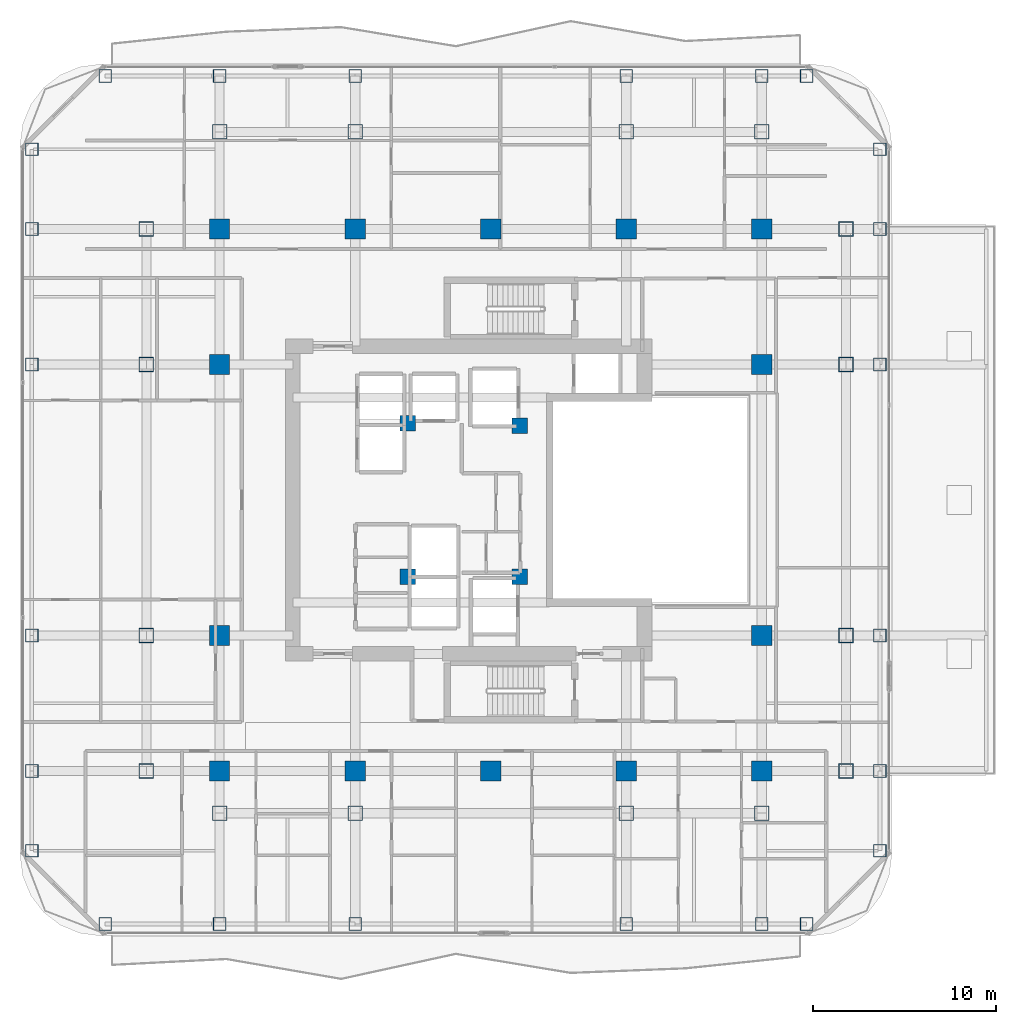
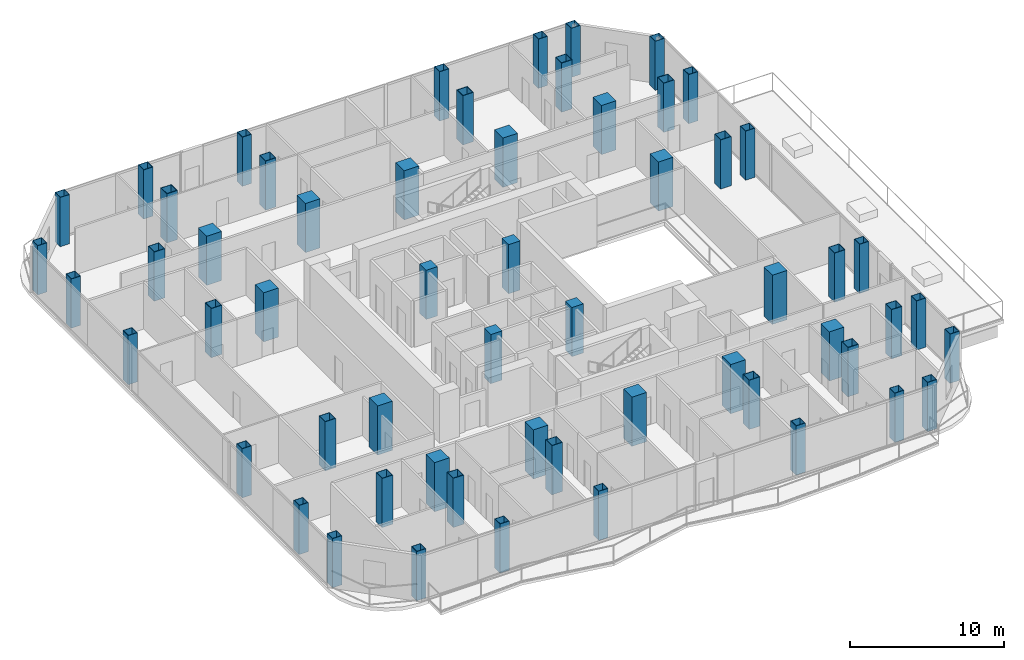
# One storey, part 1 of 27: 58 columns.
"""IFC4 building model written with IfcOpenShell, lengths in metres."""

from ifc_helpers import new_model, si_unit, direction, frame, origin, origin_2d, place, context, subcontext, project, spatial, rectangle, hollow_rectangle, extrude, material, material_profile, profile_set, type_object, element, save


model = new_model("IFC4")

# Units and contexts
model_context = context("Model", 3, precision=1e-05, world=origin(), true_north=direction((0.0, 1.0)))
body_context = subcontext(model_context, "Body", "Model", "MODEL_VIEW")
ifc_project = project(units=[si_unit("LENGTHUNIT", "METRE"), si_unit("AREAUNIT", "SQUARE_METRE"), si_unit("VOLUMEUNIT", "CUBIC_METRE"), si_unit("PLANEANGLEUNIT", "RADIAN"), si_unit("MASSUNIT", "GRAM", prefix="KILO")], contexts=[model_context])

# Site, building, storey
site_placement = place(None, origin())
site = spatial("IfcSite", under=ifc_project, at=site_placement, CompositionType="ELEMENT")
building_placement = place(site_placement, origin())
building = spatial("IfcBuilding", under=site, at=building_placement, Name="Khorvyn Point Tower", CompositionType="ELEMENT")
storey_placement = place(building_placement, frame((0.0, 0.0, 168.0)))
storey = spatial("IfcBuildingStorey", under=building, at=storey_placement, Name="L41", CompositionType="ELEMENT", Elevation=168.0)

# Columns
ifc_material_1 = material(Name="Concrete C40/50", Category="concrete")
ifc_material_profile_1 = material_profile(ifc_material_1, rectangle(XDim=0.85009765625, YDim=0.85009765625, at=origin_2d()))
ifc_profile_set_1 = profile_set([ifc_material_profile_1], Name="Concrete C40/50 RC850x850")
column_type_1 = type_object("IfcColumnType", Name="Concrete C40/50 Column RC850x850", PredefinedType="COLUMN", material=ifc_profile_set_1)
for number, where, z_axis, x_axis, name in (
    (1, (-4.52001953125, -4.199951171875, 0.0), (0.0, 0.0, 1.0), (1.0, 0.0, 0.0), "L41 Crown Core Spine Column 1"),
    (2, (1.580078125, -4.179931640625, 0.0), (0.0, 0.0, 1.0), (1.0, 0.0, 0.0), "L41 Crown Core Spine Column 2"),
    (3, (1.580078125, 4.050048828125, 0.0), (0.0, 0.0, 1.0), (1.0, 0.0, 0.0), "L41 Crown Core Spine Column 3"),
    (4, (-4.52001953125, 4.199951171875, 0.0), (0.0, 0.0, 1.0), (1.0, 0.0, 0.0), "L41 Crown Core Spine Column 4"),
):
    element("IfcColumn", number, at=place(storey_placement, frame(where, z_axis=z_axis, x_axis=x_axis)), inside=storey, type_object=column_type_1, Name=name, PredefinedType="COLUMN", context=body_context, shape_type="SweptSolid", body=[
        extrude(rectangle(XDim=0.85009765625, YDim=0.85009765625, at=origin_2d()), origin(), (0.0, 0.0, 1.0), 3.89990234375),
    ])
ifc_material_2 = material(Name="Concrete C45/55", Category="concrete")
ifc_material_profile_2 = material_profile(ifc_material_2, rectangle(XDim=1.10009765625, YDim=1.10009765625, at=origin_2d()))
ifc_profile_set_2 = profile_set([ifc_material_profile_2], Name="Concrete C45/55 RC1100x1100")
column_type_2 = type_object("IfcColumnType", Name="Concrete C45/55 Column RC1100x1100", PredefinedType="COLUMN", material=ifc_profile_set_2)
for number, where, z_axis, x_axis, name in (
    (5, (-14.800048828125, -14.800048828125, 0.0), (0.0, 0.0, 1.0), (1.0, 0.0, 0.0), "L41 Mega-Column MC-01"),
    (6, (-7.39990234375, -14.800048828125, 0.0), (0.0, 0.0, 1.0), (1.0, 0.0, 0.0), "L41 Mega-Column MC-02"),
    (7, (0.0, -14.800048828125, 0.0), (0.0, 0.0, 1.0), (1.0, 0.0, 0.0), "L41 Mega-Column MC-03"),
    (8, (7.39990234375, -14.800048828125, 0.0), (0.0, 0.0, 1.0), (1.0, 0.0, 0.0), "L41 Mega-Column MC-04"),
    (9, (14.800048828125, -14.800048828125, 0.0), (0.0, 0.0, 1.0), (1.0, 0.0, 0.0), "L41 Mega-Column MC-05"),
    (10, (-14.800048828125, 14.800048828125, 0.0), (0.0, 0.0, 1.0), (1.0, 0.0, 0.0), "L41 Mega-Column MC-06"),
    (11, (-7.39990234375, 14.800048828125, 0.0), (0.0, 0.0, 1.0), (1.0, 0.0, 0.0), "L41 Mega-Column MC-07"),
    (12, (0.0, 14.800048828125, 0.0), (0.0, 0.0, 1.0), (1.0, 0.0, 0.0), "L41 Mega-Column MC-08"),
    (13, (7.39990234375, 14.800048828125, 0.0), (0.0, 0.0, 1.0), (1.0, 0.0, 0.0), "L41 Mega-Column MC-09"),
    (14, (14.800048828125, 14.800048828125, 0.0), (0.0, 0.0, 1.0), (1.0, 0.0, 0.0), "L41 Mega-Column MC-10"),
    (15, (-14.800048828125, -7.39990234375, 0.0), (0.0, 0.0, 1.0), (1.0, 0.0, 0.0), "L41 Mega-Column MC-11"),
    (16, (-14.800048828125, 7.39990234375, 0.0), (0.0, 0.0, 1.0), (1.0, 0.0, 0.0), "L41 Mega-Column MC-12"),
    (17, (14.800048828125, -7.39990234375, 0.0), (0.0, 0.0, 1.0), (1.0, 0.0, 0.0), "L41 Mega-Column MC-13"),
    (18, (14.800048828125, 7.39990234375, 0.0), (0.0, 0.0, 1.0), (1.0, 0.0, 0.0), "L41 Mega-Column MC-14"),
):
    element("IfcColumn", number, at=place(storey_placement, frame(where, z_axis=z_axis, x_axis=x_axis)), inside=storey, type_object=column_type_2, Name=name, PredefinedType="COLUMN", context=body_context, shape_type="SweptSolid", body=[
        extrude(rectangle(XDim=1.10009765625, YDim=1.10009765625, at=origin_2d()), origin(), (0.0, 0.0, 1.0), 3.89990234375),
    ])
ifc_material_3 = material(Name="Steel S450", Category="steel")
ifc_material_profile_3 = material_profile(ifc_material_3, hollow_rectangle(XDim=0.699951171875, YDim=0.699951171875, WallThickness=0.031982421875, at=origin_2d()))
ifc_profile_set_3 = profile_set([ifc_material_profile_3], Name="Steel S450 BOX700x700x32")
column_type_3 = type_object("IfcColumnType", Name="Steel S450 Structural Column BOX700x700x32", PredefinedType="COLUMN", material=ifc_profile_set_3)
for number, where, z_axis, x_axis, name in (
    (19, (-21.050048828125, -23.14990234375, 0.0), (0.0, 0.0, 1.0), (1.0, 0.0, 0.0), "L41 Perimeter Tube Column TC-01"),
    (20, (17.25, -23.14990234375, 0.0), (0.0, 0.0, 1.0), (1.0, 0.0, 0.0), "L41 Perimeter Tube Column TC-02"),
    (21, (-21.050048828125, 23.14990234375, 0.0), (0.0, 0.0, 1.0), (1.0, 0.0, 0.0), "L41 Perimeter Tube Column TC-03"),
    (22, (17.25, 23.14990234375, 0.0), (0.0, 0.0, 1.0), (1.0, 0.0, 0.0), "L41 Perimeter Tube Column TC-04"),
    (23, (-25.050048828125, -19.14990234375, 0.0), (0.0, 0.0, 1.0), (1.0, 0.0, 0.0), "L41 Perimeter Tube Column TC-05"),
    (24, (-25.050048828125, 19.14990234375, 0.0), (0.0, 0.0, 1.0), (1.0, 0.0, 0.0), "L41 Perimeter Tube Column TC-06"),
    (25, (21.25, -19.14990234375, 0.0), (0.0, 0.0, 1.0), (1.0, 0.0, 0.0), "L41 Perimeter Tube Column TC-07"),
    (26, (21.25, 19.14990234375, 0.0), (0.0, 0.0, 1.0), (1.0, 0.0, 0.0), "L41 Perimeter Tube Column TC-08"),
    (27, (-14.800048828125, -23.14990234375, 0.0), (0.0, 0.0, 1.0), (1.0, 0.0, 0.0), "L41 Perimeter Tube Column TC-09"),
    (28, (-14.800048828125, 23.14990234375, 0.0), (0.0, 0.0, 1.0), (1.0, 0.0, 0.0), "L41 Perimeter Tube Column TC-10"),
    (29, (-7.39990234375, -23.14990234375, 0.0), (0.0, 0.0, 1.0), (1.0, 0.0, 0.0), "L41 Perimeter Tube Column TC-11"),
    (30, (-7.39990234375, 23.14990234375, 0.0), (0.0, 0.0, 1.0), (1.0, 0.0, 0.0), "L41 Perimeter Tube Column TC-12"),
    (31, (7.39990234375, -23.14990234375, 0.0), (0.0, 0.0, 1.0), (1.0, 0.0, 0.0), "L41 Perimeter Tube Column TC-13"),
    (32, (7.39990234375, 23.14990234375, 0.0), (0.0, 0.0, 1.0), (1.0, 0.0, 0.0), "L41 Perimeter Tube Column TC-14"),
    (33, (14.800048828125, -23.14990234375, 0.0), (0.0, 0.0, 1.0), (1.0, 0.0, 0.0), "L41 Perimeter Tube Column TC-15"),
    (34, (14.800048828125, 23.14990234375, 0.0), (0.0, 0.0, 1.0), (1.0, 0.0, 0.0), "L41 Perimeter Tube Column TC-16"),
    (35, (-25.050048828125, -14.800048828125, 0.0), (0.0, 0.0, 1.0), (1.0, 0.0, 0.0), "L41 Perimeter Tube Column TC-17"),
    (36, (21.25, -14.800048828125, 0.0), (0.0, 0.0, 1.0), (1.0, 0.0, 0.0), "L41 Perimeter Tube Column TC-18"),
    (37, (-25.050048828125, -7.39990234375, 0.0), (0.0, 0.0, 1.0), (1.0, 0.0, 0.0), "L41 Perimeter Tube Column TC-19"),
    (38, (21.25, -7.39990234375, 0.0), (0.0, 0.0, 1.0), (1.0, 0.0, 0.0), "L41 Perimeter Tube Column TC-20"),
    (39, (-25.050048828125, 7.39990234375, 0.0), (0.0, 0.0, 1.0), (1.0, 0.0, 0.0), "L41 Perimeter Tube Column TC-21"),
    (40, (21.25, 7.39990234375, 0.0), (0.0, 0.0, 1.0), (1.0, 0.0, 0.0), "L41 Perimeter Tube Column TC-22"),
    (41, (-25.050048828125, 14.800048828125, 0.0), (0.0, 0.0, 1.0), (1.0, 0.0, 0.0), "L41 Perimeter Tube Column TC-23"),
    (42, (21.25, 14.800048828125, 0.0), (0.0, 0.0, 1.0), (1.0, 0.0, 0.0), "L41 Perimeter Tube Column TC-24"),
):
    element("IfcColumn", number, at=place(storey_placement, frame(where, z_axis=z_axis, x_axis=x_axis)), inside=storey, type_object=column_type_3, Name=name, PredefinedType="COLUMN", context=body_context, shape_type="SweptSolid", body=[
        extrude(hollow_rectangle(XDim=0.699951171875, YDim=0.699951171875, WallThickness=0.031982421875, at=origin_2d()), origin(), (0.0, 0.0, 1.0), 3.89990234375),
    ])
ifc_material_profile_4 = material_profile(ifc_material_3, hollow_rectangle(XDim=0.800048828125, YDim=0.800048828125, WallThickness=0.035888671875, at=origin_2d()))
ifc_profile_set_4 = profile_set([ifc_material_profile_4], Name="Steel S450 BOX800x800x36")
column_type_4 = type_object("IfcColumnType", Name="Steel S450 Structural Column BOX800x800x36", PredefinedType="COLUMN", material=ifc_profile_set_4)
for number, where, z_axis, x_axis, name in (
    (43, (-18.800048828125, -14.800048828125, 0.0), (0.0, 0.0, 1.0), (1.0, 0.0, 0.0), "L41 Intermediate Column ICW--14"),
    (44, (-18.800048828125, -7.39990234375, 0.0), (0.0, 0.0, 1.0), (1.0, 0.0, 0.0), "L41 Intermediate Column ICW--7"),
    (45, (-18.800048828125, 7.39990234375, 0.0), (0.0, 0.0, 1.0), (1.0, 0.0, 0.0), "L41 Intermediate Column ICW-7"),
    (46, (-18.800048828125, 14.800048828125, 0.0), (0.0, 0.0, 1.0), (1.0, 0.0, 0.0), "L41 Intermediate Column ICW-14"),
    (47, (19.39990234375, -14.800048828125, 0.0), (0.0, 0.0, 1.0), (1.0, 0.0, 0.0), "L41 Intermediate Column ICE--14"),
    (48, (19.39990234375, -7.39990234375, 0.0), (0.0, 0.0, 1.0), (1.0, 0.0, 0.0), "L41 Intermediate Column ICE--7"),
    (49, (19.39990234375, 7.39990234375, 0.0), (0.0, 0.0, 1.0), (1.0, 0.0, 0.0), "L41 Intermediate Column ICE-7"),
    (50, (19.39990234375, 14.800048828125, 0.0), (0.0, 0.0, 1.0), (1.0, 0.0, 0.0), "L41 Intermediate Column ICE-14"),
    (51, (-14.800048828125, -17.10009765625, 0.0), (0.0, 0.0, 1.0), (1.0, 0.0, 0.0), "L41 Intermediate Column ICS--14"),
    (52, (-7.39990234375, -17.10009765625, 0.0), (0.0, 0.0, 1.0), (1.0, 0.0, 0.0), "L41 Intermediate Column ICS--7"),
    (53, (7.39990234375, -17.10009765625, 0.0), (0.0, 0.0, 1.0), (1.0, 0.0, 0.0), "L41 Intermediate Column ICS-7"),
    (54, (14.800048828125, -17.10009765625, 0.0), (0.0, 0.0, 1.0), (1.0, 0.0, 0.0), "L41 Intermediate Column ICS-14"),
    (55, (-14.800048828125, 20.10009765625, 0.0), (0.0, 0.0, 1.0), (1.0, 0.0, 0.0), "L41 Intermediate Column ICN--14"),
    (56, (-7.39990234375, 20.10009765625, 0.0), (0.0, 0.0, 1.0), (1.0, 0.0, 0.0), "L41 Intermediate Column ICN--7"),
    (57, (7.39990234375, 20.10009765625, 0.0), (0.0, 0.0, 1.0), (1.0, 0.0, 0.0), "L41 Intermediate Column ICN-7"),
    (58, (14.800048828125, 20.10009765625, 0.0), (0.0, 0.0, 1.0), (1.0, 0.0, 0.0), "L41 Intermediate Column ICN-14"),
):
    element("IfcColumn", number, at=place(storey_placement, frame(where, z_axis=z_axis, x_axis=x_axis)), inside=storey, type_object=column_type_4, Name=name, PredefinedType="COLUMN", context=body_context, shape_type="SweptSolid", body=[
        extrude(hollow_rectangle(XDim=0.800048828125, YDim=0.800048828125, WallThickness=0.035888671875, at=origin_2d()), origin(), (0.0, 0.0, 1.0), 3.89990234375),
    ])

save(model, "model.ifc")
